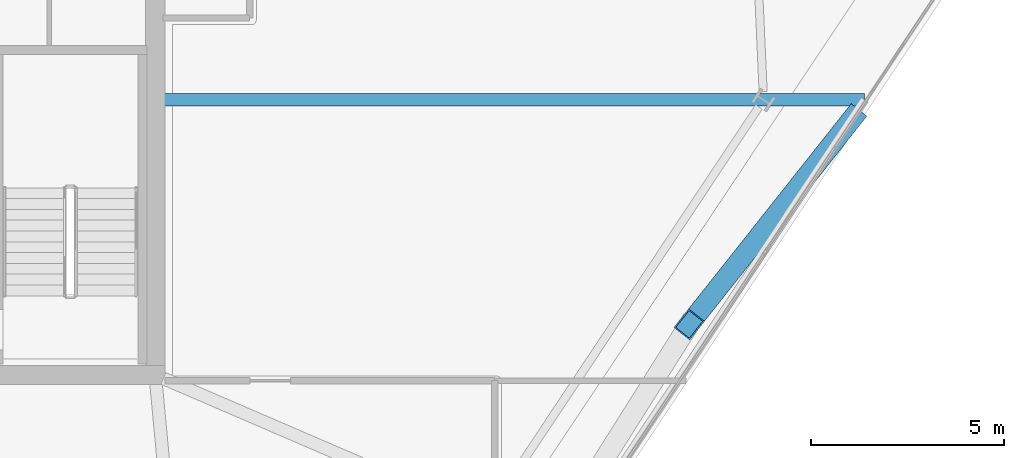
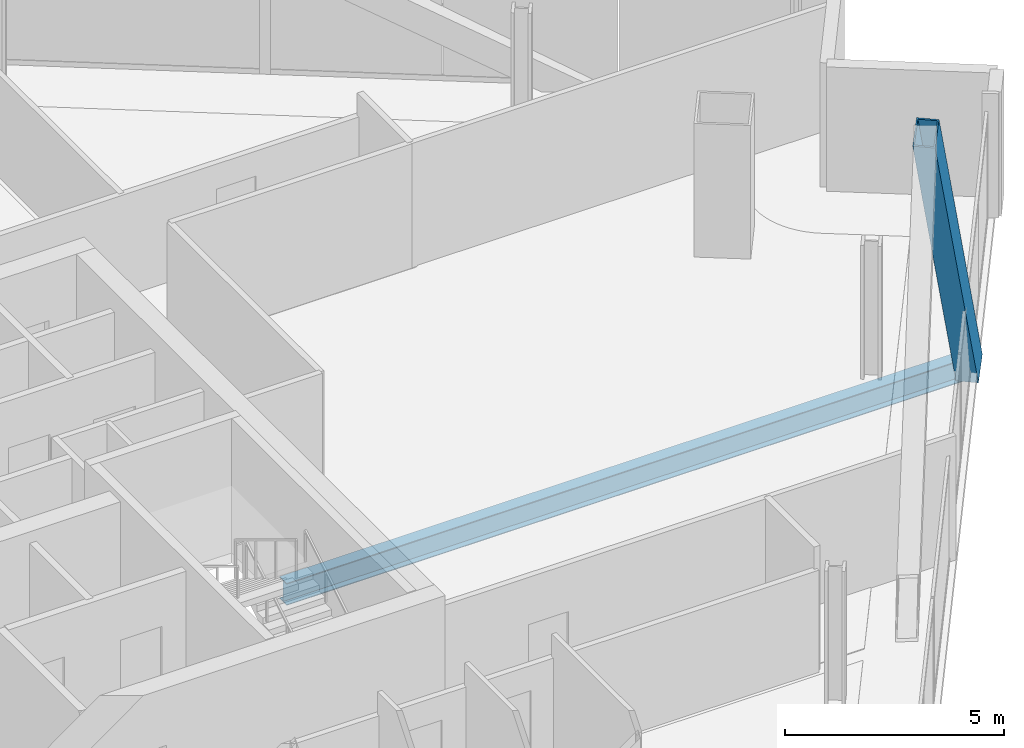
# One storey, part 12 of 32: 1 beam, 1 member.
"""IFC4 building model written with IfcOpenShell, lengths in metres."""

from ifc_helpers import new_model, si_unit, direction, frame, origin, origin_2d, place, context, subcontext, project, spatial, hollow_rectangle, i_section, extrude, material, material_profile, profile_set, type_object, element, save


model = new_model("IFC4")

# Units and contexts
model_context = context("Model", 3, precision=1e-05, world=origin(), true_north=direction((0.0, 1.0)))
body_context = subcontext(model_context, "Body", "Model", "MODEL_VIEW")
ifc_project = project(units=[si_unit("LENGTHUNIT", "METRE"), si_unit("AREAUNIT", "SQUARE_METRE"), si_unit("VOLUMEUNIT", "CUBIC_METRE"), si_unit("PLANEANGLEUNIT", "RADIAN"), si_unit("MASSUNIT", "GRAM", prefix="KILO")], contexts=[model_context])

# Site, building, storey
site_placement = place(None, origin())
site = spatial("IfcSite", under=ifc_project, at=site_placement, CompositionType="ELEMENT")
building_placement = place(site_placement, origin())
building = spatial("IfcBuilding", under=site, at=building_placement, Name="Haldenkirk Collegiate Tower", CompositionType="ELEMENT")
storey_placement = place(building_placement, frame((0.0, 0.0, 217.199951171875)))
storey = spatial("IfcBuildingStorey", under=building, at=storey_placement, Name="L54", CompositionType="ELEMENT", Elevation=217.199951171875)

# Beam
ifc_material_1 = material(Name="Steel ASTM A992 Grade 50", Category="steel")
ifc_material_profile_1 = material_profile(ifc_material_1, i_section(OverallWidth=0.324951171875, OverallDepth=0.615966796875, WebThickness=0.013916015625, FlangeThickness=0.021484375, at=origin_2d()), Name="W24X117")
ifc_profile_set_1 = profile_set([ifc_material_profile_1], Name="Steel ASTM A992 Grade 50")
beam_type = type_object("IfcBeamType", Name="BM-GIRDER-W24X117", PredefinedType="BEAM", material=ifc_profile_set_1)
beam_placement = place(storey_placement, frame((63.384521484375, 25.12646484375, -0.587890625), z_axis=(-1.0, 0.0, 0.0), x_axis=(0.0, -1.0, 0.0)))
element("IfcBeam", 1, at=beam_placement, inside=storey, type_object=beam_type, Name="L54 primary floor girder 07", PredefinedType="BEAM", context=body_context, shape_type="SweptSolid", body=[
    extrude(i_section(OverallWidth=0.324951171875, OverallDepth=0.615966796875, WebThickness=0.013916015625, FlangeThickness=0.021484375, at=origin_2d()), origin(), (0.0, 0.0, 1.0), 18.154541015625),
])

# Member
ifc_material_2 = material(Name="Steel ASTM A572 Grade 50", Category="steel")
ifc_material_profile_2 = material_profile(ifc_material_2, hollow_rectangle(XDim=0.52001953125, YDim=0.719970703125, WallThickness=0.035888671875, at=origin_2d()), Name="BOX720X520X36")
ifc_profile_set_2 = profile_set([ifc_material_profile_2], Name="Steel ASTM A572 Grade 50")
member_type = type_object("IfcMemberType", Name="MBR-MEGABRACE-BOX720X520X36", PredefinedType="BRACE", material=ifc_profile_set_2)
member_placement = place(storey_placement, frame((63.052001953125, 24.626953125, -0.2900390625), z_axis=(-0.320656016889, -0.404732046818, 0.856371233234), x_axis=(0.783816610334, -0.620992368202, 0.0)))
element("IfcMember", 2, at=member_placement, inside=storey, type_object=member_type, Name="Perimeter Mega Brace Z4 L54-L56 SR", PredefinedType="BRACE", context=body_context, shape_type="SweptSolid", body=[
    extrude(hollow_rectangle(XDim=0.52001953125, YDim=0.719970703125, WallThickness=0.035888671875, at=origin_2d()), origin(), (0.0, 0.0, 1.0), 13.13671875),
])

save(model, "model.ifc")
